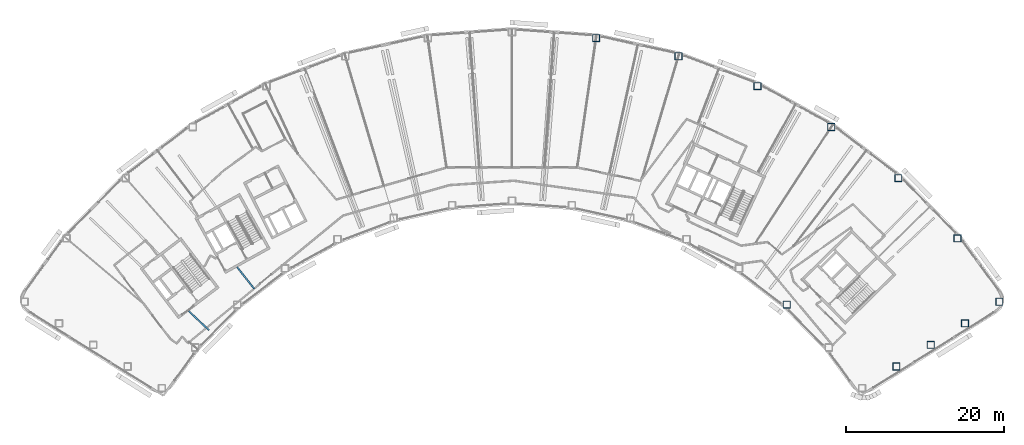
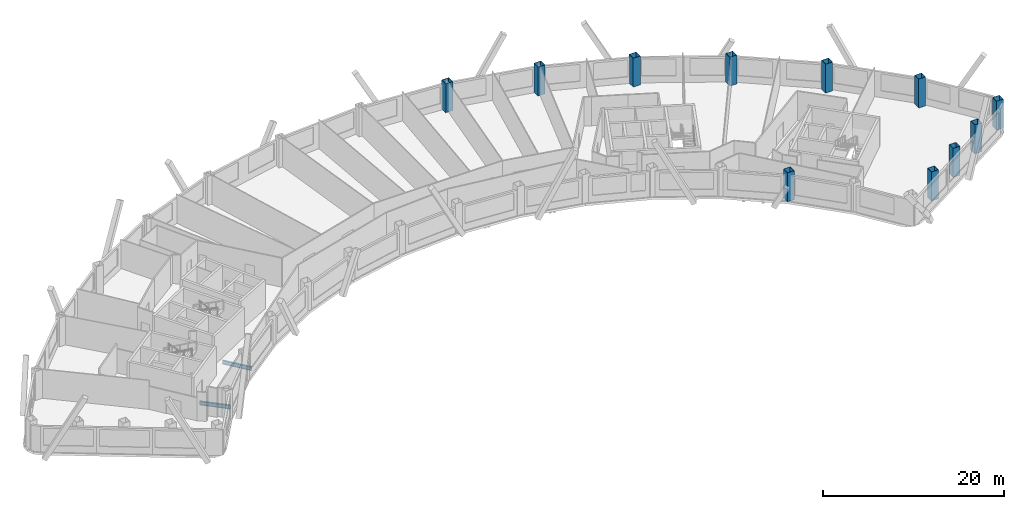
# One storey, part 2 of 14: 11 columns, 2 beams.
"""IFC4 building model written with IfcOpenShell, lengths in metres."""

from ifc_helpers import new_model, si_unit, direction, frame, origin, origin_2d, place, context, subcontext, project, spatial, hollow_rectangle, i_section, extrude, material, material_profile, profile_set, type_object, element, save


model = new_model("IFC4")

# Units and contexts
model_context = context("Model", 3, precision=1e-05, world=origin(), true_north=direction((0.0, 1.0)))
body_context = subcontext(model_context, "Body", "Model", "MODEL_VIEW")
ifc_project = project(units=[si_unit("LENGTHUNIT", "METRE"), si_unit("AREAUNIT", "SQUARE_METRE"), si_unit("VOLUMEUNIT", "CUBIC_METRE"), si_unit("PLANEANGLEUNIT", "RADIAN"), si_unit("MASSUNIT", "GRAM", prefix="KILO")], contexts=[model_context])

# Site, building, storey
site_placement = place(None, origin())
site = spatial("IfcSite", under=ifc_project, at=site_placement, CompositionType="ELEMENT")
building_placement = place(site_placement, origin())
building = spatial("IfcBuilding", under=site, at=building_placement, Name="Tuul Gate Civic Tower", CompositionType="ELEMENT")
storey_placement = place(building_placement, frame((0.0, 0.0, 209.5)))
storey = spatial("IfcBuildingStorey", under=building, at=storey_placement, Name="Level 47", CompositionType="ELEMENT", Elevation=209.5)

# Columns
ifc_material_1 = material(Name="Steel S355", Category="steel")
ifc_material_profile_1 = material_profile(ifc_material_1, hollow_rectangle(XDim=0.89990234375, YDim=0.89990234375, WallThickness=0.031982421875, at=origin_2d()), Name="BOX900x900x32")
ifc_profile_set_1 = profile_set([ifc_material_profile_1], Name="Steel S355")
column_type = type_object("IfcColumnType", Name="STR-COLUMN-BOX900x900x32", PredefinedType="COLUMN", material=ifc_profile_set_1)
for number, where, z_axis, x_axis, name in (
    (1, (67.611083984375, -15.56298828125, 0.0), (0.0, 0.0, 1.0), (1.0, 0.0, 0.0), "Column"),
    (2, (62.31201171875, -7.550048828125, 0.0), (0.0, 0.0, 1.0), (1.0, 0.0, 0.0), "Column"),
    (3, (54.8369140625, 0.074951171875, 0.0), (0.0, 0.0, 1.0), (1.0, 0.0, 0.0), "Column"),
    (4, (46.342041015625, 6.54296875, 0.0), (0.0, 0.0, 1.0), (1.0, 0.0, 0.0), "Column"),
    (5, (37.0029296875, 11.718994140625, 0.0), (0.0, 0.0, 1.0), (1.0, 0.0, 0.0), "Column"),
    (6, (27.01611328125, 15.49609375, 0.0), (0.0, 0.0, 1.0), (1.0, 0.0, 0.0), "Column"),
    (7, (16.589111328125, 17.7939453125, 0.0), (0.0, 0.0, 1.0), (1.0, 0.0, 0.0), "Column"),
    (8, (40.7060546875, -15.93798828125, 0.0), (0.0, 0.0, 1.0), (1.0, 0.0, 0.0), "Column"),
    (9, (54.5830078125, -23.76708984375, 0.0), (0.0, 0.0, 1.0), (1.0, 0.0, 0.0), "Column"),
    (10, (58.926025390625, -21.031982421875, 0.0), (0.0, 0.0, 1.0), (1.0, 0.0, 0.0), "Column"),
    (11, (63.26806640625, -18.297119140625, 0.0), (0.0, 0.0, 1.0), (1.0, 0.0, 0.0), "Column"),
):
    element("IfcColumn", number, at=place(storey_placement, frame(where, z_axis=z_axis, x_axis=x_axis)), inside=storey, type_object=column_type, Name=name, PredefinedType="COLUMN", context=body_context, shape_type="SweptSolid", body=[
        extrude(hollow_rectangle(XDim=0.89990234375, YDim=0.89990234375, WallThickness=0.031982421875, at=origin_2d()), origin(), (0.0, 0.0, 1.0), 3.89990234375),
    ])

# Beams
ifc_material_2 = material(Name="Steel S355", Category="steel")
ifc_material_profile_2 = material_profile(ifc_material_2, i_section(OverallWidth=0.199951171875, OverallDepth=0.5, WebThickness=0.010009765625, FlangeThickness=0.01611328125, at=origin_2d()), Name="PG500x200x10x16")
ifc_profile_set_2 = profile_set([ifc_material_profile_2], Name="Steel S355")
beam_type = type_object("IfcBeamType", Name="STR-FLOOR BEAM-PG500x200x10x16", PredefinedType="BEAM", material=ifc_profile_set_2)
beam_1_placement = place(storey_placement, frame((-26.68212890625, -13.927734375, -0.550048828125), z_axis=(-0.618865703378, 0.785496811695, 0.0), x_axis=(-0.785496811695, -0.618865703378, 0.0)))
element("IfcBeam", 12, at=beam_1_placement, inside=storey, type_object=beam_type, Name="Floor beam", PredefinedType="BEAM", context=body_context, shape_type="SweptSolid", body=[
    extrude(i_section(OverallWidth=0.199951171875, OverallDepth=0.5, WebThickness=0.010009765625, FlangeThickness=0.01611328125, at=origin_2d()), origin(), (0.0, 0.0, 1.0), 3.498779296875),
])
beam_2_placement = place(storey_placement, frame((-32.409423828125, -19.163818359375, -0.550048828125), z_axis=(-0.727480917223, 0.686127914514, 0.0), x_axis=(-0.686127914514, -0.727480917223, 0.0)))
element("IfcBeam", 13, at=beam_2_placement, inside=storey, type_object=beam_type, Name="Floor beam", PredefinedType="BEAM", context=body_context, shape_type="SweptSolid", body=[
    extrude(i_section(OverallWidth=0.199951171875, OverallDepth=0.5, WebThickness=0.010009765625, FlangeThickness=0.01611328125, at=origin_2d()), origin(), (0.0, 0.0, 1.0), 3.530517578125),
])

save(model, "model.ifc")
